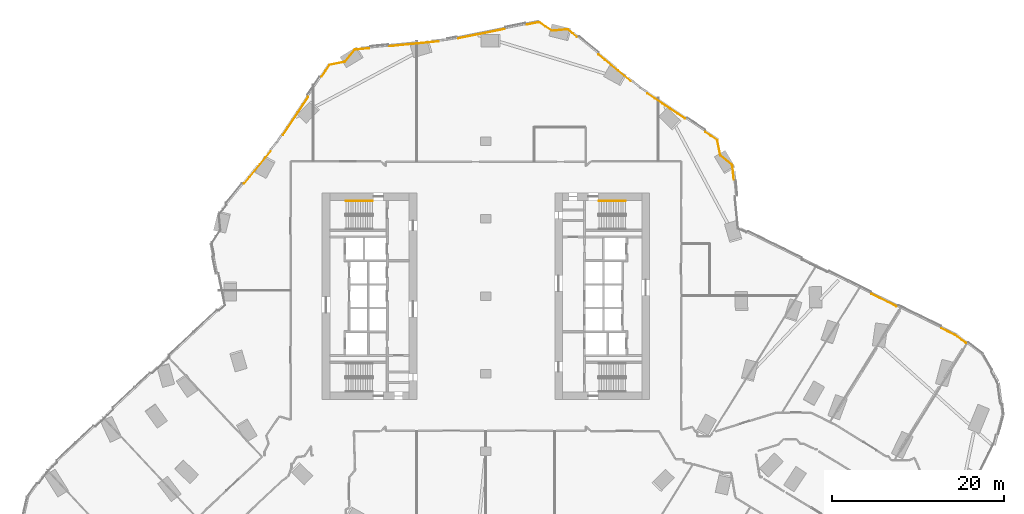
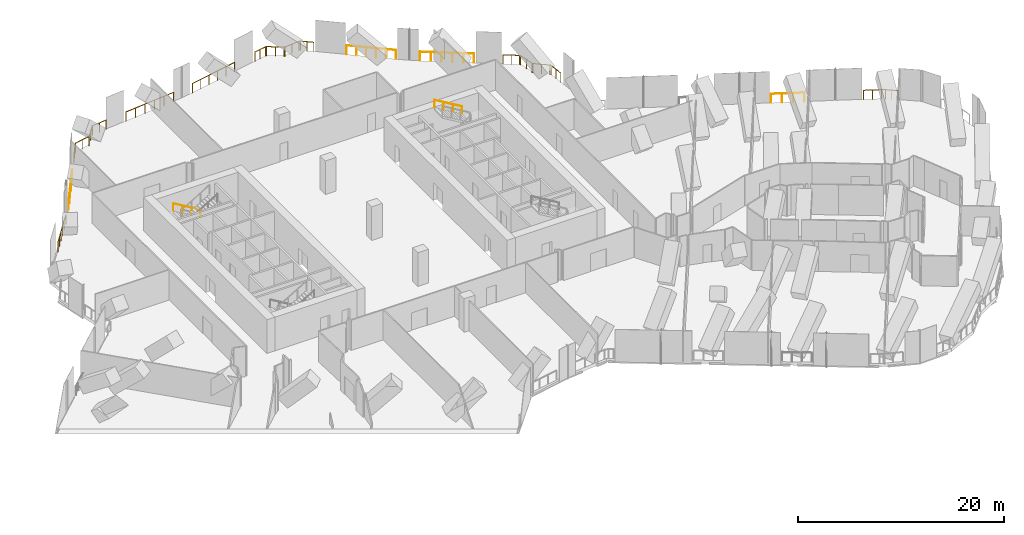
# One storey, part 31 of 31: 13 railings.
"""IFC4 building model written with IfcOpenShell, lengths in metres."""

from ifc_helpers import new_model, si_unit, direction, frame, origin, origin_2d, place, context, subcontext, project, spatial, circle, extrude, material, type_object, element, save


model = new_model("IFC4")

# Units and contexts
model_context = context("Model", 3, precision=1e-05, world=origin(), true_north=direction((0.0, 1.0)))
body_context = subcontext(model_context, "Body", "Model", "MODEL_VIEW")
ifc_project = project(units=[si_unit("LENGTHUNIT", "METRE"), si_unit("AREAUNIT", "SQUARE_METRE"), si_unit("VOLUMEUNIT", "CUBIC_METRE"), si_unit("PLANEANGLEUNIT", "RADIAN"), si_unit("MASSUNIT", "GRAM", prefix="KILO")], contexts=[model_context])

# Site, building, storey
site_placement = place(None, origin())
site = spatial("IfcSite", under=ifc_project, at=site_placement, CompositionType="ELEMENT")
building_placement = place(site_placement, origin())
building = spatial("IfcBuilding", under=site, at=building_placement, Name="Orlundy Tower", CompositionType="ELEMENT")
storey_placement = place(building_placement, frame((0.0, 0.0, 54.800048828125)))
storey = spatial("IfcBuildingStorey", under=building, at=storey_placement, Name="L12", CompositionType="ELEMENT", Elevation=54.800048828125)

# Railings
ifc_material_1 = material(Name="Steel handrail", Category="steel")
railing_type_1 = type_object("IfcRailingType", Name="Stair Handrail 900", PredefinedType="HANDRAIL", material=ifc_material_1)
for number, where, name in (
    (1, (-13.139892578125, 11.050048828125, 0.16650390625), "L12 ST-W1 stair handrail 1"),
    (2, (16.219970703125, 11.050048828125, 2.16650390625), "L12 ST-E2 stair handrail 2"),
):
    element("IfcRailing", number, at=place(storey_placement, frame(where)), inside=storey, type_object=railing_type_1, Name=name, PredefinedType="HANDRAIL", context=body_context, shape_type="SweptSolid", body=[
        extrude(circle(Radius=0.02392578125, at=origin_2d()), frame((0.0, 0.0, 0.8759765625), z_axis=(-0.85927862911, 0.0, 0.511507807912), x_axis=(0.0, -1.0, 0.0)), (0.0, 0.0, 1.0), 3.58447265625),
        extrude(circle(Radius=0.02099609375, at=origin_2d()), origin(), (0.0, 0.0, 1.0), 0.851806640625),
        extrude(circle(Radius=0.02099609375, at=origin_2d()), frame((-1.026611328125, 0.0, 0.611083984375)), (0.0, 0.0, 1.0), 0.851806640625),
        extrude(circle(Radius=0.02099609375, at=origin_2d()), frame((-2.053466796875, 0.0, 1.222412109375)), (0.0, 0.0, 1.0), 0.851806640625),
        extrude(circle(Radius=0.02099609375, at=origin_2d()), frame((-3.080078125, 0.0, 1.83349609375)), (0.0, 0.0, 1.0), 0.851806640625),
    ])
ifc_material_2 = material(Name="Stainless steel bronze finish", Category="steel")
railing_type_2 = type_object("IfcRailingType", Name="TG1 terrace guard", PredefinedType="GUARDRAIL", material=ifc_material_2)
railing_1_placement = place(storey_placement, frame((25.453125, 19.044189453125, 0.0)))
element("IfcRailing", 3, at=railing_1_placement, inside=storey, type_object=railing_type_2, Name="Guard TG-L12-E02", PredefinedType="GUARDRAIL", context=body_context, shape_type="SweptSolid", body=[
    extrude(circle(Radius=0.02490234375, at=origin_2d()), frame((0.0, 0.0, 1.09521484375), z_axis=(0.832355451822, -0.554242186974, 0.0), x_axis=(0.554242186974, 0.832355451822, 0.0)), (0.0, 0.0, 1.0), 1.599365234375),
    extrude(circle(Radius=0.02490234375, at=origin_2d()), frame((1.331298828125, -0.886474609375, 1.09521484375), z_axis=(0.572799347895, -0.819695618539, 0.0), x_axis=(0.819695618539, 0.572799347895, 0.0)), (0.0, 0.0, 1.0), 0.12353515625),
    extrude(circle(Radius=0.02490234375, at=origin_2d()), frame((1.402099609375, -0.98779296875, 1.09521484375), z_axis=(0.196446545419, -0.980514535738, 0.0), x_axis=(0.980514535738, 0.196446545419, 0.0)), (0.0, 0.0, 1.0), 1.705078125),
    extrude(circle(Radius=0.02490234375, at=origin_2d()), frame((1.737060546875, -2.65966796875, 1.09521484375), z_axis=(0.515825956121, -0.85669340081, 0.0), x_axis=(0.85669340081, 0.515825956121, 0.0)), (0.0, 0.0, 1.0), 0.0810546875),
    extrude(circle(Radius=0.02490234375, at=origin_2d()), frame((1.77880859375, -2.72900390625, 1.09521484375), z_axis=(0.773433560742, -0.633877375458, 0.0), x_axis=(0.633877375458, 0.773433560742, 0.0)), (0.0, 0.0, 1.0), 1.703857421875),
    extrude(circle(Radius=0.02490234375, at=origin_2d()), frame((3.0966796875, -3.80908203125, 1.09521484375), z_axis=(0.454310407282, -0.890843450801, 0.0), x_axis=(0.890843450801, 0.454310407282, 0.0)), (0.0, 0.0, 1.0), 0.12353515625),
    extrude(circle(Radius=0.02490234375, at=origin_2d()), frame((3.15283203125, -3.919189453125, 1.09521484375), z_axis=(0.098876542966, -0.995099708196, 0.0), x_axis=(0.995099708196, 0.098876542966, 0.0)), (0.0, 0.0, 1.0), 1.580322265625),
    extrude(circle(Radius=0.02001953125, at=origin_2d()), origin(), (0.0, 0.0, 1.0), 1.070068359375),
    extrude(circle(Radius=0.02001953125, at=origin_2d()), frame((0.66552734375, -0.443359375, 0.0)), (0.0, 0.0, 1.0), 1.070068359375),
    extrude(circle(Radius=0.02001953125, at=origin_2d()), frame((1.331298828125, -0.886474609375, 0.0)), (0.0, 0.0, 1.0), 1.070068359375),
    extrude(circle(Radius=0.02001953125, at=origin_2d()), frame((1.402099609375, -0.98779296875, 0.0)), (0.0, 0.0, 1.0), 1.070068359375),
    extrude(circle(Radius=0.02001953125, at=origin_2d()), frame((1.569580078125, -1.82373046875, 0.0)), (0.0, 0.0, 1.0), 1.070068359375),
    extrude(circle(Radius=0.02001953125, at=origin_2d()), frame((1.737060546875, -2.65966796875, 0.0)), (0.0, 0.0, 1.0), 1.070068359375),
    extrude(circle(Radius=0.02001953125, at=origin_2d()), frame((1.77880859375, -2.72900390625, 0.0)), (0.0, 0.0, 1.0), 1.070068359375),
    extrude(circle(Radius=0.02001953125, at=origin_2d()), frame((2.437744140625, -3.26904296875, 0.0)), (0.0, 0.0, 1.0), 1.070068359375),
    extrude(circle(Radius=0.02001953125, at=origin_2d()), frame((3.0966796875, -3.80908203125, 0.0)), (0.0, 0.0, 1.0), 1.070068359375),
    extrude(circle(Radius=0.02001953125, at=origin_2d()), frame((3.15283203125, -3.919189453125, 0.0)), (0.0, 0.0, 1.0), 1.070068359375),
    extrude(circle(Radius=0.02001953125, at=origin_2d()), frame((3.23095703125, -4.70556640625, 0.0)), (0.0, 0.0, 1.0), 1.070068359375),
    extrude(circle(Radius=0.02001953125, at=origin_2d()), frame((3.30908203125, -5.49169921875, 0.0)), (0.0, 0.0, 1.0), 1.070068359375),
])
railing_2_placement = place(storey_placement, frame((-19.044189453125, 25.453125, 0.0)))
element("IfcRailing", 4, at=railing_2_placement, inside=storey, type_object=railing_type_2, Name="Guard TG-L12-E03", PredefinedType="GUARDRAIL", context=body_context, shape_type="SweptSolid", body=[
    extrude(circle(Radius=0.02490234375, at=origin_2d()), frame((0.0, 0.0, 1.09521484375), z_axis=(0.554242186974, 0.832355451822, 0.0), x_axis=(-0.832355451822, 0.554242186974, 0.0)), (0.0, 0.0, 1.0), 1.599365234375),
    extrude(circle(Radius=0.02490234375, at=origin_2d()), frame((0.886474609375, 1.331298828125, 1.09521484375), z_axis=(0.819695618539, 0.572799347895, 0.0), x_axis=(-0.572799347895, 0.819695618539, 0.0)), (0.0, 0.0, 1.0), 0.12353515625),
    extrude(circle(Radius=0.02490234375, at=origin_2d()), frame((0.98779296875, 1.402099609375, 1.09521484375), z_axis=(0.980514535738, 0.196446545419, 0.0), x_axis=(-0.196446545419, 0.980514535738, 0.0)), (0.0, 0.0, 1.0), 1.705078125),
    extrude(circle(Radius=0.02490234375, at=origin_2d()), frame((2.65966796875, 1.737060546875, 1.09521484375), z_axis=(0.85669340081, 0.515825956121, 0.0), x_axis=(-0.515825956121, 0.85669340081, 0.0)), (0.0, 0.0, 1.0), 0.0810546875),
    extrude(circle(Radius=0.02490234375, at=origin_2d()), frame((2.72900390625, 1.77880859375, 1.09521484375), z_axis=(0.633877375458, 0.773433560742, 0.0), x_axis=(-0.773433560742, 0.633877375458, 0.0)), (0.0, 0.0, 1.0), 1.703857421875),
    extrude(circle(Radius=0.02490234375, at=origin_2d()), frame((3.80908203125, 3.0966796875, 1.09521484375), z_axis=(0.890843450801, 0.454310407282, 0.0), x_axis=(-0.454310407282, 0.890843450801, 0.0)), (0.0, 0.0, 1.0), 0.12353515625),
    extrude(circle(Radius=0.02490234375, at=origin_2d()), frame((3.919189453125, 3.15283203125, 1.09521484375), z_axis=(0.995114897703, 0.098723555291, 0.0), x_axis=(-0.098723555291, 0.995114897703, 0.0)), (0.0, 0.0, 1.0), 1.580322265625),
    extrude(circle(Radius=0.02001953125, at=origin_2d()), origin(), (0.0, 0.0, 1.0), 1.070068359375),
    extrude(circle(Radius=0.02001953125, at=origin_2d()), frame((0.443359375, 0.66552734375, 0.0)), (0.0, 0.0, 1.0), 1.070068359375),
    extrude(circle(Radius=0.02001953125, at=origin_2d()), frame((0.886474609375, 1.331298828125, 0.0)), (0.0, 0.0, 1.0), 1.070068359375),
    extrude(circle(Radius=0.02001953125, at=origin_2d()), frame((0.98779296875, 1.402099609375, 0.0)), (0.0, 0.0, 1.0), 1.070068359375),
    extrude(circle(Radius=0.02001953125, at=origin_2d()), frame((1.82373046875, 1.569580078125, 0.0)), (0.0, 0.0, 1.0), 1.070068359375),
    extrude(circle(Radius=0.02001953125, at=origin_2d()), frame((2.65966796875, 1.737060546875, 0.0)), (0.0, 0.0, 1.0), 1.070068359375),
    extrude(circle(Radius=0.02001953125, at=origin_2d()), frame((2.72900390625, 1.77880859375, 0.0)), (0.0, 0.0, 1.0), 1.070068359375),
    extrude(circle(Radius=0.02001953125, at=origin_2d()), frame((3.26904296875, 2.437744140625, 0.0)), (0.0, 0.0, 1.0), 1.070068359375),
    extrude(circle(Radius=0.02001953125, at=origin_2d()), frame((3.80908203125, 3.0966796875, 0.0)), (0.0, 0.0, 1.0), 1.070068359375),
    extrude(circle(Radius=0.02001953125, at=origin_2d()), frame((3.919189453125, 3.15283203125, 0.0)), (0.0, 0.0, 1.0), 1.070068359375),
    extrude(circle(Radius=0.02001953125, at=origin_2d()), frame((4.70556640625, 3.23095703125, 0.0)), (0.0, 0.0, 1.0), 1.070068359375),
    extrude(circle(Radius=0.02001953125, at=origin_2d()), frame((5.49169921875, 3.308837890625, 0.0)), (0.0, 0.0, 1.0), 1.070068359375),
])
railing_3_placement = place(storey_placement, frame((4.75830078125, 31.509521484375, 0.0)))
element("IfcRailing", 5, at=railing_3_placement, inside=storey, type_object=railing_type_2, Name="Guard TG-L12-E07", PredefinedType="GUARDRAIL", context=body_context, shape_type="SweptSolid", body=[
    extrude(circle(Radius=0.02490234375, at=origin_2d()), frame((0.0, 0.0, 1.09521484375), z_axis=(0.980505165957, 0.19649330658, 0.0), x_axis=(-0.19649330658, 0.980505165957, 0.0)), (0.0, 0.0, 1.0), 1.369140625),
    extrude(circle(Radius=0.02490234375, at=origin_2d()), frame((1.342529296875, 0.26904296875, 1.09521484375), z_axis=(0.984743719612, -0.174010938405, 0.0), x_axis=(0.174010938405, 0.984743719612, 0.0)), (0.0, 0.0, 1.0), 0.12353515625),
    extrude(circle(Radius=0.02490234375, at=origin_2d()), frame((1.464111328125, 0.24755859375, 1.09521484375), z_axis=(0.832336554195, -0.554270566195, 0.0), x_axis=(0.554270566195, 0.832336554195, 0.0)), (0.0, 0.0, 1.0), 1.705078125),
    extrude(circle(Radius=0.02490234375, at=origin_2d()), frame((2.88330078125, -0.697509765625, 1.09521484375), z_axis=(0.970142500145, -0.242535625036, 0.0), x_axis=(0.242535625036, 0.970142500145, 0.0)), (0.0, 0.0, 1.0), 0.08056640625),
    extrude(circle(Radius=0.02490234375, at=origin_2d()), frame((2.96142578125, -0.717041015625, 1.09521484375), z_axis=(0.995112116618, 0.098751584092, 0.0), x_axis=(-0.098751584092, 0.995112116618, 0.0)), (0.0, 0.0, 1.0), 1.703369140625),
    extrude(circle(Radius=0.02490234375, at=origin_2d()), frame((4.656494140625, -0.548828125, 1.09521484375), z_axis=(0.950641154559, -0.310292435064, 0.0), x_axis=(0.310292435064, 0.950641154559, 0.0)), (0.0, 0.0, 1.0), 0.12353515625),
    extrude(circle(Radius=0.02490234375, at=origin_2d()), frame((4.77392578125, -0.587158203125, 1.09521484375), z_axis=(0.773503639795, -0.633791857966, 0.0), x_axis=(0.633791857966, 0.773503639795, 0.0)), (0.0, 0.0, 1.0), 1.3193359375),
    extrude(circle(Radius=0.02001953125, at=origin_2d()), origin(), (0.0, 0.0, 1.0), 1.070068359375),
    extrude(circle(Radius=0.02001953125, at=origin_2d()), frame((0.67138671875, 0.134521484375, 0.0)), (0.0, 0.0, 1.0), 1.070068359375),
    extrude(circle(Radius=0.02001953125, at=origin_2d()), frame((1.342529296875, 0.26904296875, 0.0)), (0.0, 0.0, 1.0), 1.070068359375),
    extrude(circle(Radius=0.02001953125, at=origin_2d()), frame((1.464111328125, 0.24755859375, 0.0)), (0.0, 0.0, 1.0), 1.070068359375),
    extrude(circle(Radius=0.02001953125, at=origin_2d()), frame((2.173828125, -0.22509765625, 0.0)), (0.0, 0.0, 1.0), 1.070068359375),
    extrude(circle(Radius=0.02001953125, at=origin_2d()), frame((2.88330078125, -0.697509765625, 0.0)), (0.0, 0.0, 1.0), 1.070068359375),
    extrude(circle(Radius=0.02001953125, at=origin_2d()), frame((2.96142578125, -0.717041015625, 0.0)), (0.0, 0.0, 1.0), 1.070068359375),
    extrude(circle(Radius=0.02001953125, at=origin_2d()), frame((3.80908203125, -0.6328125, 0.0)), (0.0, 0.0, 1.0), 1.070068359375),
    extrude(circle(Radius=0.02001953125, at=origin_2d()), frame((4.656494140625, -0.548828125, 0.0)), (0.0, 0.0, 1.0), 1.070068359375),
    extrude(circle(Radius=0.02001953125, at=origin_2d()), frame((4.77392578125, -0.587158203125, 0.0)), (0.0, 0.0, 1.0), 1.070068359375),
    extrude(circle(Radius=0.02001953125, at=origin_2d()), frame((5.2841796875, -1.00537109375, 0.0)), (0.0, 0.0, 1.0), 1.070068359375),
    extrude(circle(Radius=0.02001953125, at=origin_2d()), frame((5.79443359375, -1.42333984375, 0.0)), (0.0, 0.0, 1.0), 1.070068359375),
])
railing_4_placement = place(storey_placement, frame((-11.16748046875, 28.99853515625, 0.0)))
element("IfcRailing", 6, at=railing_4_placement, inside=storey, type_object=railing_type_2, Name="Guard TG-L12-E011", PredefinedType="GUARDRAIL", context=body_context, shape_type="SweptSolid", body=[
    extrude(circle(Radius=0.02490234375, at=origin_2d()), frame((0.0, 0.0, 1.09521484375), z_axis=(0.995113977665, 0.098732828667, 0.0), x_axis=(-0.098732828667, 0.995113977665, 0.0)), (0.0, 0.0, 1.0), 5.70703125),
    extrude(circle(Radius=0.02001953125, at=origin_2d()), origin(), (0.0, 0.0, 1.0), 1.070068359375),
    extrude(circle(Radius=0.02001953125, at=origin_2d()), frame((1.1357421875, 0.11279296875, 0.0)), (0.0, 0.0, 1.0), 1.070068359375),
    extrude(circle(Radius=0.02001953125, at=origin_2d()), frame((2.271728515625, 0.225341796875, 0.0)), (0.0, 0.0, 1.0), 1.070068359375),
    extrude(circle(Radius=0.02001953125, at=origin_2d()), frame((3.407470703125, 0.338134765625, 0.0)), (0.0, 0.0, 1.0), 1.070068359375),
    extrude(circle(Radius=0.02001953125, at=origin_2d()), frame((4.54345703125, 0.45068359375, 0.0)), (0.0, 0.0, 1.0), 1.070068359375),
    extrude(circle(Radius=0.02001953125, at=origin_2d()), frame((5.67919921875, 0.5634765625, 0.0)), (0.0, 0.0, 1.0), 1.070068359375),
])
railing_5_placement = place(storey_placement, frame((-3.186767578125, 29.9169921875, 0.0)))
element("IfcRailing", 7, at=railing_5_placement, inside=storey, type_object=railing_type_2, Name="Guard TG-L12-E012", PredefinedType="GUARDRAIL", context=body_context, shape_type="SweptSolid", body=[
    extrude(circle(Radius=0.02490234375, at=origin_2d()), frame((0.0, 0.0, 1.09521484375), z_axis=(0.980497940912, 0.196529356251, 0.0), x_axis=(-0.196529356251, 0.980497940912, 0.0)), (0.0, 0.0, 1.0), 5.45361328125),
    extrude(circle(Radius=0.02001953125, at=origin_2d()), origin(), (0.0, 0.0, 1.0), 1.070068359375),
    extrude(circle(Radius=0.02001953125, at=origin_2d()), frame((1.0693359375, 0.21435546875, 0.0)), (0.0, 0.0, 1.0), 1.070068359375),
    extrude(circle(Radius=0.02001953125, at=origin_2d()), frame((2.138916015625, 0.4287109375, 0.0)), (0.0, 0.0, 1.0), 1.070068359375),
    extrude(circle(Radius=0.02001953125, at=origin_2d()), frame((3.208251953125, 0.64306640625, 0.0)), (0.0, 0.0, 1.0), 1.070068359375),
    extrude(circle(Radius=0.02001953125, at=origin_2d()), frame((4.27783203125, 0.857421875, 0.0)), (0.0, 0.0, 1.0), 1.070068359375),
    extrude(circle(Radius=0.02001953125, at=origin_2d()), frame((5.34716796875, 1.07177734375, 0.0)), (0.0, 0.0, 1.0), 1.070068359375),
])
railing_6_placement = place(storey_placement, frame((-23.5302734375, 18.7177734375, 0.0)))
element("IfcRailing", 8, at=railing_6_placement, inside=storey, type_object=railing_type_2, Name="Guard TG-L12-E014", PredefinedType="GUARDRAIL", context=body_context, shape_type="SweptSolid", body=[
    extrude(circle(Radius=0.02490234375, at=origin_2d()), frame((0.0, 0.0, 1.09521484375), z_axis=(0.554347496717, 0.832285319397, 0.0), x_axis=(-0.832285319397, 0.554347496717, 0.0)), (0.0, 0.0, 1.0), 5.272216796875),
    extrude(circle(Radius=0.02001953125, at=origin_2d()), origin(), (0.0, 0.0, 1.0), 1.070068359375),
    extrude(circle(Radius=0.02001953125, at=origin_2d()), frame((0.58447265625, 0.877685546875, 0.0)), (0.0, 0.0, 1.0), 1.070068359375),
    extrude(circle(Radius=0.02001953125, at=origin_2d()), frame((1.1689453125, 1.755126953125, 0.0)), (0.0, 0.0, 1.0), 1.070068359375),
    extrude(circle(Radius=0.02001953125, at=origin_2d()), frame((1.753662109375, 2.6328125, 0.0)), (0.0, 0.0, 1.0), 1.070068359375),
    extrude(circle(Radius=0.02001953125, at=origin_2d()), frame((2.338134765625, 3.51025390625, 0.0)), (0.0, 0.0, 1.0), 1.070068359375),
    extrude(circle(Radius=0.02001953125, at=origin_2d()), frame((2.922607421875, 4.387939453125, 0.0)), (0.0, 0.0, 1.0), 1.070068359375),
])
railing_7_placement = place(storey_placement, frame((18.7177734375, 23.5302734375, 0.0)))
element("IfcRailing", 9, at=railing_7_placement, inside=storey, type_object=railing_type_2, Name="Guard TG-L12-E015", PredefinedType="GUARDRAIL", context=body_context, shape_type="SweptSolid", body=[
    extrude(circle(Radius=0.02490234375, at=origin_2d()), frame((0.0, 0.0, 1.09521484375), z_axis=(0.832285319397, -0.554347496717, 0.0), x_axis=(0.554347496717, 0.832285319397, 0.0)), (0.0, 0.0, 1.0), 5.272216796875),
    extrude(circle(Radius=0.02001953125, at=origin_2d()), origin(), (0.0, 0.0, 1.0), 1.070068359375),
    extrude(circle(Radius=0.02001953125, at=origin_2d()), frame((0.877685546875, -0.58447265625, 0.0)), (0.0, 0.0, 1.0), 1.070068359375),
    extrude(circle(Radius=0.02001953125, at=origin_2d()), frame((1.755126953125, -1.1689453125, 0.0)), (0.0, 0.0, 1.0), 1.070068359375),
    extrude(circle(Radius=0.02001953125, at=origin_2d()), frame((2.6328125, -1.753662109375, 0.0)), (0.0, 0.0, 1.0), 1.070068359375),
    extrude(circle(Radius=0.02001953125, at=origin_2d()), frame((3.51025390625, -2.338134765625, 0.0)), (0.0, 0.0, 1.0), 1.070068359375),
    extrude(circle(Radius=0.02001953125, at=origin_2d()), frame((4.387939453125, -2.922607421875, 0.0)), (0.0, 0.0, 1.0), 1.070068359375),
])
railing_8_placement = place(storey_placement, frame((-28.031494140625, 13.06005859375, 0.0)))
element("IfcRailing", 10, at=railing_8_placement, inside=storey, type_object=railing_type_2, Name="Guard TG-L12-E017", PredefinedType="GUARDRAIL", context=body_context, shape_type="SweptSolid", body=[
    extrude(circle(Radius=0.02490234375, at=origin_2d()), frame((0.0, 0.0, 1.09521484375), z_axis=(0.633825951385, 0.773475703142, 0.0), x_axis=(-0.773475703142, 0.633825951385, 0.0)), (0.0, 0.0, 1.0), 4.8583984375),
    extrude(circle(Radius=0.02001953125, at=origin_2d()), origin(), (0.0, 0.0, 1.0), 1.070068359375),
    extrude(circle(Radius=0.02001953125, at=origin_2d()), frame((0.615966796875, 0.75146484375, 0.0)), (0.0, 0.0, 1.0), 1.070068359375),
    extrude(circle(Radius=0.02001953125, at=origin_2d()), frame((1.231689453125, 1.503173828125, 0.0)), (0.0, 0.0, 1.0), 1.070068359375),
    extrude(circle(Radius=0.02001953125, at=origin_2d()), frame((1.84765625, 2.254638671875, 0.0)), (0.0, 0.0, 1.0), 1.070068359375),
    extrude(circle(Radius=0.02001953125, at=origin_2d()), frame((2.46337890625, 3.00634765625, 0.0)), (0.0, 0.0, 1.0), 1.070068359375),
    extrude(circle(Radius=0.02001953125, at=origin_2d()), frame((3.079345703125, 3.7578125, 0.0)), (0.0, 0.0, 1.0), 1.070068359375),
])
railing_9_placement = place(storey_placement, frame((13.06005859375, 28.031494140625, 0.0)))
element("IfcRailing", 11, at=railing_9_placement, inside=storey, type_object=railing_type_2, Name="Guard TG-L12-E018", PredefinedType="GUARDRAIL", context=body_context, shape_type="SweptSolid", body=[
    extrude(circle(Radius=0.02490234375, at=origin_2d()), frame((0.0, 0.0, 1.09521484375), z_axis=(0.773475703142, -0.633825951385, 0.0), x_axis=(0.633825951385, 0.773475703142, 0.0)), (0.0, 0.0, 1.0), 4.8583984375),
    extrude(circle(Radius=0.02001953125, at=origin_2d()), origin(), (0.0, 0.0, 1.0), 1.070068359375),
    extrude(circle(Radius=0.02001953125, at=origin_2d()), frame((0.75146484375, -0.615966796875, 0.0)), (0.0, 0.0, 1.0), 1.070068359375),
    extrude(circle(Radius=0.02001953125, at=origin_2d()), frame((1.503173828125, -1.231689453125, 0.0)), (0.0, 0.0, 1.0), 1.070068359375),
    extrude(circle(Radius=0.02001953125, at=origin_2d()), frame((2.254638671875, -1.84765625, 0.0)), (0.0, 0.0, 1.0), 1.070068359375),
    extrude(circle(Radius=0.02001953125, at=origin_2d()), frame((3.00634765625, -2.46337890625, 0.0)), (0.0, 0.0, 1.0), 1.070068359375),
    extrude(circle(Radius=0.02001953125, at=origin_2d()), frame((3.7578125, -3.079345703125, 0.0)), (0.0, 0.0, 1.0), 1.070068359375),
])
railing_10_placement = place(storey_placement, frame((52.830810546875, -3.71875, 0.0)))
element("IfcRailing", 12, at=railing_10_placement, inside=storey, type_object=railing_type_2, Name="Guard TG-L12-E025", PredefinedType="GUARDRAIL", context=body_context, shape_type="SweptSolid", body=[
    extrude(circle(Radius=0.02490234375, at=origin_2d()), frame((0.0, 0.0, 1.09521484375), z_axis=(0.897513500587, -0.440986979699, 0.0), x_axis=(0.440986979699, 0.897513500587, 0.0)), (0.0, 0.0, 1.0), 1.743896484375),
    extrude(circle(Radius=0.02490234375, at=origin_2d()), frame((1.565185546875, -0.76904296875, 1.09521484375), z_axis=(0.849891480276, -0.526957751394, 0.0), x_axis=(0.526957751394, 0.849891480276, 0.0)), (0.0, 0.0, 1.0), 0.39013671875),
    extrude(circle(Radius=0.02490234375, at=origin_2d()), frame((1.896728515625, -0.974609375, 1.09521484375), z_axis=(0.794220248187, -0.607629983929, 0.0), x_axis=(0.607629983929, 0.794220248187, 0.0)), (0.0, 0.0, 1.0), 1.208984375),
    extrude(circle(Radius=0.02001953125, at=origin_2d()), origin(), (0.0, 0.0, 1.0), 1.070068359375),
    extrude(circle(Radius=0.02001953125, at=origin_2d()), frame((0.78271484375, -0.384521484375, 0.0)), (0.0, 0.0, 1.0), 1.070068359375),
    extrude(circle(Radius=0.02001953125, at=origin_2d()), frame((1.565185546875, -0.76904296875, 0.0)), (0.0, 0.0, 1.0), 1.070068359375),
    extrude(circle(Radius=0.02001953125, at=origin_2d()), frame((1.896728515625, -0.974609375, 0.0)), (0.0, 0.0, 1.0), 1.070068359375),
    extrude(circle(Radius=0.02001953125, at=origin_2d()), frame((2.376953125, -1.341796875, 0.0)), (0.0, 0.0, 1.0), 1.070068359375),
    extrude(circle(Radius=0.02001953125, at=origin_2d()), frame((2.85693359375, -1.709228515625, 0.0)), (0.0, 0.0, 1.0), 1.070068359375),
])
railing_11_placement = place(storey_placement, frame((44.7197265625, 0.2666015625, 0.0)))
element("IfcRailing", 13, at=railing_11_placement, inside=storey, type_object=railing_type_2, Name="Guard TG-L12-E026", PredefinedType="GUARDRAIL", context=body_context, shape_type="SweptSolid", body=[
    extrude(circle(Radius=0.02490234375, at=origin_2d()), frame((0.0, 0.0, 1.09521484375), z_axis=(0.89749446423, -0.441025721105, 0.0), x_axis=(0.441025721105, 0.89749446423, 0.0)), (0.0, 0.0, 1.0), 3.256591796875),
    extrude(circle(Radius=0.02001953125, at=origin_2d()), origin(), (0.0, 0.0, 1.0), 1.070068359375),
    extrude(circle(Radius=0.02001953125, at=origin_2d()), frame((0.974365234375, -0.478759765625, 0.0)), (0.0, 0.0, 1.0), 1.070068359375),
    extrude(circle(Radius=0.02001953125, at=origin_2d()), frame((1.948486328125, -0.95751953125, 0.0)), (0.0, 0.0, 1.0), 1.070068359375),
    extrude(circle(Radius=0.02001953125, at=origin_2d()), frame((2.9228515625, -1.436279296875, 0.0)), (0.0, 0.0, 1.0), 1.070068359375),
])

save(model, "model.ifc")
